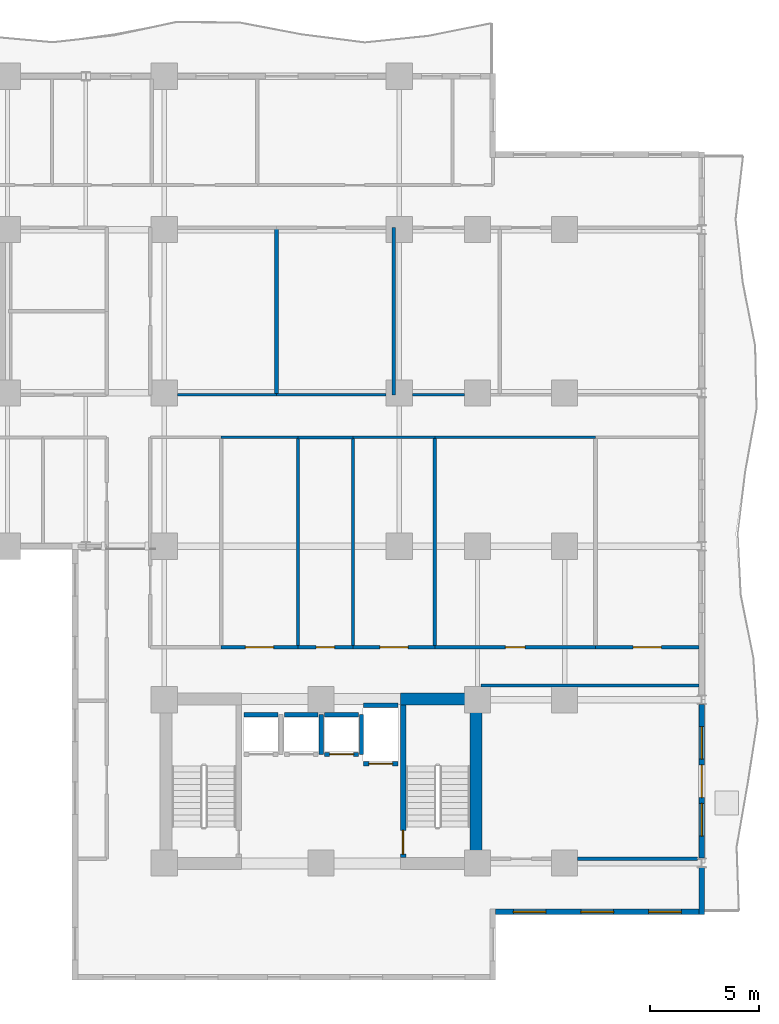
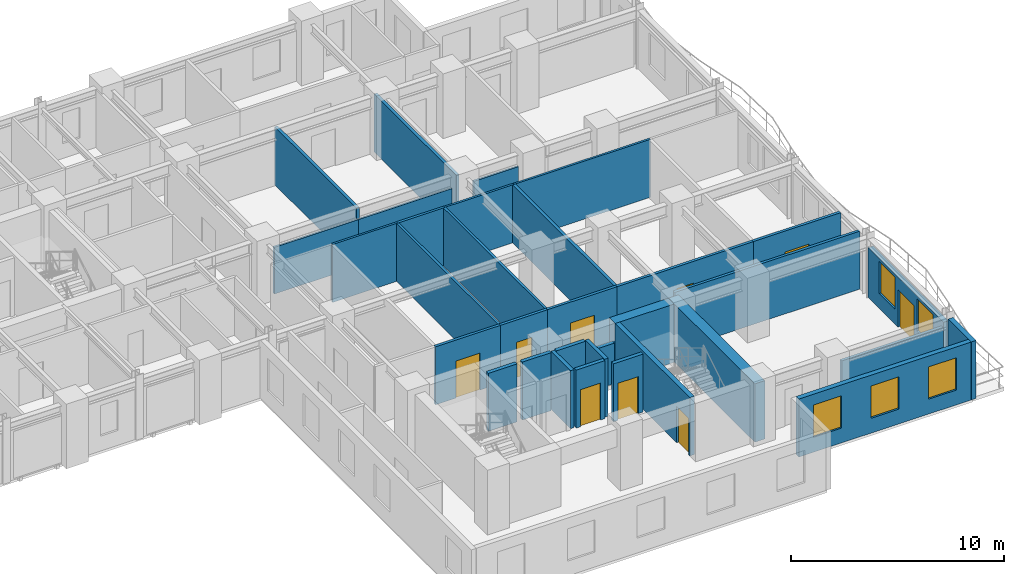
# One storey, part 5 of 11: 33 walls, 9 doors, 5 windows, 14 openings.
"""IFC4 building model written with IfcOpenShell, lengths in metres."""

from ifc_helpers import new_model, si_unit, direction, frame, frame_2d, origin, place, context, subcontext, project, spatial, rectangle, extrude, material, layer, layer_set, type_object, element, fill, save


model = new_model("IFC4")

# Units and contexts
model_context = context("Model", 3, precision=1e-05, world=origin(), true_north=direction((0.0, 1.0)))
body_context = subcontext(model_context, "Body", "Model", "MODEL_VIEW")
ifc_project = project(units=[si_unit("LENGTHUNIT", "METRE"), si_unit("AREAUNIT", "SQUARE_METRE"), si_unit("VOLUMEUNIT", "CUBIC_METRE"), si_unit("PLANEANGLEUNIT", "RADIAN"), si_unit("MASSUNIT", "GRAM", prefix="KILO")], contexts=[model_context])

# Site, building, storey
site_placement = place(None, origin())
site = spatial("IfcSite", under=ifc_project, at=site_placement, CompositionType="ELEMENT")
building_placement = place(site_placement, origin())
building = spatial("IfcBuilding", under=site, at=building_placement, Name="Kaliganga Portal Commons", CompositionType="ELEMENT")
storey_placement = place(building_placement, frame((0.0, 0.0, 126.699951171875)))
storey = spatial("IfcBuildingStorey", under=building, at=storey_placement, Name="L32", CompositionType="ELEMENT", Elevation=126.699951171875)

# Walls
ifc_material_1 = material(Name="Concrete C60/75", Category="concrete")
ifc_layer_1 = layer(ifc_material_1, 0.550048828125)
ifc_layer_set_1 = layer_set([ifc_layer_1], Name="Concrete C60/75")
wall_type_1 = type_object("IfcWallType", Name="WL-CORE-550", PredefinedType="SHEAR", material=ifc_layer_set_1)
wall_1_placement = place(storey_placement, frame((50.324951171875, 6.75, 0.0), z_axis=(0.0, 0.0, 1.0), x_axis=(0.0, 1.0, 0.0)))
element("IfcWall", 1, at=wall_1_placement, inside=storey, type_object=wall_type_1, Name="Core B East Shear Wall L32", PredefinedType="SHEAR", context=body_context, shape_type="SweptSolid", body=[
    extrude(rectangle(XDim=8.10009765625, YDim=0.550048828125, at=frame_2d((4.050048828125, 0.0))), origin(), (0.0, 0.0, 1.0), 3.340087890625),
])
wall_2_placement = place(storey_placement, frame((46.85009765625, 14.574951171875, 0.0), z_axis=(0.0, 0.0, 1.0), x_axis=(1.0, 0.0, 0.0)))
element("IfcWall", 2, at=wall_2_placement, inside=storey, type_object=wall_type_1, Name="Core B N-East Shear Wall L32", PredefinedType="SHEAR", context=body_context, shape_type="SweptSolid", body=[
    extrude(rectangle(XDim=3.199951171875, YDim=0.550048828125, at=frame_2d((1.60009765625, 0.0))), origin(), (0.0, 0.0, 1.0), 3.340087890625),
])

# Wall, openings, windows
ifc_material_2 = material(Name="Insulated Aluminium-Clad Spandrel Assembly", Category="aluminium")
ifc_layer_2 = layer(ifc_material_2, 0.260009765625)
ifc_layer_set_2 = layer_set([ifc_layer_2], Name="Insulated Aluminium-Clad Spandrel Assembly")
wall_type_2 = type_object("IfcWallType", Name="WL-EXT-SPAND-260", PredefinedType="STANDARD", material=ifc_layer_set_2)
wall_3_placement = place(storey_placement, frame((60.56494140625, 4.800048828125, 0.0), z_axis=(0.0, 0.0, 1.0), x_axis=(-1.0, 0.0, 0.0)))
wall_3 = element("IfcWall", 3, at=wall_3_placement, inside=storey, type_object=wall_type_2, Name="Exterior Envelope Wall L32 P1-E02-S1", PredefinedType="STANDARD", context=body_context, shape_type="SweptSolid", body=[
    extrude(rectangle(XDim=9.329833984375, YDim=0.260009765625, at=frame_2d((4.6650390625, 0.0))), origin(), (0.0, 0.0, 1.0), 3.320068359375),
])
opening_1_placement = place(wall_3_placement, frame((0.804931640625, 0.0, 0.85009765625)))
opening_1 = element("IfcOpeningElement", 4, at=opening_1_placement, cuts=wall_3, Name="Opening W-02", PredefinedType="OPENING", context=body_context, shape_type="SweptSolid", body=[
    extrude(rectangle(XDim=1.5, YDim=1.85009765625, at=frame_2d((0.75, 0.925048828125))), frame((0.0, 0.14013671875, 0.0), z_axis=(0.0, -1.0, 0.0), x_axis=(1.0, 0.0, 0.0)), (0.0, 0.0, 1.0), 0.280029296875),
])
opening_2_placement = place(wall_3_placement, frame((3.9150390625, 0.0, 0.85009765625)))
opening_2 = element("IfcOpeningElement", 5, at=opening_2_placement, cuts=wall_3, Name="Opening W-02", PredefinedType="OPENING", context=body_context, shape_type="SweptSolid", body=[
    extrude(rectangle(XDim=1.5, YDim=1.85009765625, at=frame_2d((0.75, 0.925048828125))), frame((0.0, 0.14013671875, 0.0), z_axis=(0.0, -1.0, 0.0), x_axis=(1.0, 0.0, 0.0)), (0.0, 0.0, 1.0), 0.280029296875),
])
opening_3_placement = place(wall_3_placement, frame((7.02490234375, 0.0, 0.85009765625)))
opening_3 = element("IfcOpeningElement", 6, at=opening_3_placement, cuts=wall_3, Name="Opening W-02", PredefinedType="OPENING", context=body_context, shape_type="SweptSolid", body=[
    extrude(rectangle(XDim=1.5, YDim=1.85009765625, at=frame_2d((0.75, 0.925048828125))), frame((0.0, 0.14013671875, 0.0), z_axis=(0.0, -1.0, 0.0), x_axis=(1.0, 0.0, 0.0)), (0.0, 0.0, 1.0), 0.280029296875),
])
ifc_material_3 = material(Name="Thermally Broken Aluminium and Low-E Double Glazing", Category="aluminium")
window_type = type_object("IfcWindowType", Name="WIN-STD-1500", PartitioningType="DOUBLE_PANEL_VERTICAL", PredefinedType="WINDOW", material=ifc_material_3)
window_1_placement = place(opening_1_placement, origin())
window_1 = element("IfcWindow", 7, at=window_1_placement, inside=storey, type_object=window_type, Name="Facade Window L32-P1E02S1-00", OverallHeight=1.85009765625, OverallWidth=1.5, PartitioningType="SINGLE_PANEL", PredefinedType="WINDOW", context=body_context, shape_type="SweptSolid", body=[
    extrude(rectangle(XDim=1.5, YDim=1.85009765625, at=frame_2d((0.75, 0.925048828125))), frame((0.0, 0.030029296875, 0.0), z_axis=(0.0, -1.0, 0.0), x_axis=(1.0, 0.0, 0.0)), (0.0, 0.0, 1.0), 0.06005859375),
])
fill(opening_1, window_1)
window_2_placement = place(opening_2_placement, origin())
window_2 = element("IfcWindow", 8, at=window_2_placement, inside=storey, type_object=window_type, Name="Facade Window L32-P1E02S1-01", OverallHeight=1.85009765625, OverallWidth=1.5, PartitioningType="SINGLE_PANEL", PredefinedType="WINDOW", context=body_context, shape_type="SweptSolid", body=[
    extrude(rectangle(XDim=1.5, YDim=1.85009765625, at=frame_2d((0.75, 0.925048828125))), frame((0.0, 0.030029296875, 0.0), z_axis=(0.0, -1.0, 0.0), x_axis=(1.0, 0.0, 0.0)), (0.0, 0.0, 1.0), 0.06005859375),
])
fill(opening_2, window_2)
window_3_placement = place(opening_3_placement, origin())
window_3 = element("IfcWindow", 9, at=window_3_placement, inside=storey, type_object=window_type, Name="Facade Window L32-P1E02S1-02", OverallHeight=1.85009765625, OverallWidth=1.5, PartitioningType="SINGLE_PANEL", PredefinedType="WINDOW", context=body_context, shape_type="SweptSolid", body=[
    extrude(rectangle(XDim=1.5, YDim=1.85009765625, at=frame_2d((0.75, 0.925048828125))), frame((0.0, 0.030029296875, 0.0), z_axis=(0.0, -1.0, 0.0), x_axis=(1.0, 0.0, 0.0)), (0.0, 0.0, 1.0), 0.06005859375),
])
fill(opening_3, window_3)

# Wall
wall_4_placement = place(storey_placement, frame((60.699951171875, 6.833984375, 0.0), z_axis=(0.0, 0.0, 1.0), x_axis=(0.0, -1.0, 0.0)))
element("IfcWall", 10, at=wall_4_placement, inside=storey, type_object=wall_type_2, Name="Exterior Envelope Wall L32 P1-E03-S1", PredefinedType="STANDARD", context=body_context, shape_type="SweptSolid", body=[
    extrude(rectangle(XDim=2.1640625, YDim=0.260009765625, at=frame_2d((1.08203125, 0.0))), origin(), (0.0, 0.0, 1.0), 3.320068359375),
])

# Wall, openings, door, windows
wall_5_placement = place(storey_placement, frame((60.699951171875, 14.333984375, 0.0), z_axis=(0.0, 0.0, 1.0), x_axis=(0.0, -1.0, 0.0)))
wall_5 = element("IfcWall", 11, at=wall_5_placement, inside=storey, type_object=wall_type_2, Name="Exterior Envelope Wall L32 P1-E03-S2", PredefinedType="STANDARD", context=body_context, shape_type="SweptSolid", body=[
    extrude(rectangle(XDim=7.06787109375, YDim=0.260009765625, at=frame_2d((3.533935546875, 0.0))), origin(), (0.0, 0.0, 1.0), 2.8701171875),
])
opening_4_placement = place(wall_5_placement, frame((2.783935546875, 0.0, 0.0)))
opening_4 = element("IfcOpeningElement", 12, at=opening_4_placement, cuts=wall_5, Name="Opening BD-01", PredefinedType="OPENING", context=body_context, shape_type="SweptSolid", body=[
    extrude(rectangle(XDim=1.5, YDim=2.14990234375, at=frame_2d((0.75, 1.074951171875))), frame((0.0, 0.14013671875, 0.0), z_axis=(0.0, -1.0, 0.0), x_axis=(1.0, 0.0, 0.0)), (0.0, 0.0, 1.0), 0.280029296875),
])
opening_5_placement = place(wall_5_placement, frame((1.01708984375, 0.0, 0.85009765625)))
opening_5 = element("IfcOpeningElement", 13, at=opening_5_placement, cuts=wall_5, Name="Opening W-02", PredefinedType="OPENING", context=body_context, shape_type="SweptSolid", body=[
    extrude(rectangle(XDim=1.5, YDim=1.85009765625, at=frame_2d((0.75, 0.925048828125))), frame((0.0, 0.14013671875, 0.0), z_axis=(0.0, -1.0, 0.0), x_axis=(1.0, 0.0, 0.0)), (0.0, 0.0, 1.0), 0.280029296875),
])
opening_6_placement = place(wall_5_placement, frame((4.551025390625, 0.0, 0.85009765625)))
opening_6 = element("IfcOpeningElement", 14, at=opening_6_placement, cuts=wall_5, Name="Opening W-02", PredefinedType="OPENING", context=body_context, shape_type="SweptSolid", body=[
    extrude(rectangle(XDim=1.5, YDim=1.85009765625, at=frame_2d((0.75, 0.925048828125))), frame((0.0, 0.14013671875, 0.0), z_axis=(0.0, -1.0, 0.0), x_axis=(1.0, 0.0, 0.0)), (0.0, 0.0, 1.0), 0.280029296875),
])
ifc_material_4 = material(Name="Anodized Aluminium and Laminated Safety Glass", Category="aluminium")
door_type_1 = type_object("IfcDoorType", Name="DR-BALC-1500", OperationType="SLIDING_TO_LEFT", PredefinedType="DOOR", material=ifc_material_4)
door_1_placement = place(opening_4_placement, origin())
door_1 = element("IfcDoor", 15, at=door_1_placement, inside=storey, type_object=door_type_1, Name="Balcony Sliding Door L32 balc_east", OperationType="SLIDING_TO_LEFT", OverallHeight=2.14990234375, OverallWidth=1.5, PredefinedType="DOOR", context=body_context, shape_type="SweptSolid", body=[
    extrude(rectangle(XDim=1.5, YDim=2.14990234375, at=frame_2d((0.75, 1.074951171875))), frame((0.0, 0.02490234375, 0.0), z_axis=(0.0, -1.0, 0.0), x_axis=(1.0, 0.0, 0.0)), (0.0, 0.0, 1.0), 0.050048828125),
])
fill(opening_4, door_1)
window_4_placement = place(opening_5_placement, origin())
window_4 = element("IfcWindow", 16, at=window_4_placement, inside=storey, type_object=window_type, Name="Facade Window L32-P1E03S2-00", OverallHeight=1.85009765625, OverallWidth=1.5, PartitioningType="SINGLE_PANEL", PredefinedType="WINDOW", context=body_context, shape_type="SweptSolid", body=[
    extrude(rectangle(XDim=1.5, YDim=1.85009765625, at=frame_2d((0.75, 0.925048828125))), frame((0.0, 0.030029296875, 0.0), z_axis=(0.0, -1.0, 0.0), x_axis=(1.0, 0.0, 0.0)), (0.0, 0.0, 1.0), 0.06005859375),
])
fill(opening_5, window_4)
window_5_placement = place(opening_6_placement, origin())
window_5 = element("IfcWindow", 17, at=window_5_placement, inside=storey, type_object=window_type, Name="Facade Window L32-P1E03S2-01", OverallHeight=1.85009765625, OverallWidth=1.5, PartitioningType="SINGLE_PANEL", PredefinedType="WINDOW", context=body_context, shape_type="SweptSolid", body=[
    extrude(rectangle(XDim=1.5, YDim=1.85009765625, at=frame_2d((0.75, 0.925048828125))), frame((0.0, 0.030029296875, 0.0), z_axis=(0.0, -1.0, 0.0), x_axis=(1.0, 0.0, 0.0)), (0.0, 0.0, 1.0), 0.06005859375),
])
fill(opening_6, window_5)

# Walls
ifc_material_5 = material(Name="Fire-Rated Gypsum Board on Steel Stud", Category="steel")
ifc_layer_3 = layer(ifc_material_5, 0.14990234375)
ifc_layer_set_3 = layer_set([ifc_layer_3], Name="Fire-Rated Gypsum Board on Steel Stud")
wall_type_3 = type_object("IfcWallType", Name="WL-PART-CORR-150", PredefinedType="PARTITIONING", material=ifc_layer_set_3)
wall_6_placement = place(storey_placement, frame((55.0, 7.239990234375, 0.0), z_axis=(0.0, 0.0, 1.0), x_axis=(1.0, 0.0, 0.0)))
element("IfcWall", 18, at=wall_6_placement, inside=storey, type_object=wall_type_3, Name="Interior Partition L32-002", PredefinedType="PARTITIONING", context=body_context, shape_type="SweptSolid", body=[
    extrude(rectangle(XDim=5.49560546875, YDim=0.14990234375, at=frame_2d((2.747802734375, 0.0))), origin(), (0.0, 0.0, 1.0), 2.670166015625),
])
wall_7_placement = place(storey_placement, frame((50.56005859375, 15.199951171875, 0.0), z_axis=(0.0, 0.0, 1.0), x_axis=(1.0, 0.0, 0.0)))
element("IfcWall", 19, at=wall_7_placement, inside=storey, type_object=wall_type_3, Name="Interior Partition L32-003", PredefinedType="PARTITIONING", context=body_context, shape_type="SweptSolid", body=[
    extrude(rectangle(XDim=10.008056640625, YDim=0.14990234375, at=frame_2d((5.00390625, 0.0))), origin(), (0.0, 0.0, 1.0), 3.320068359375),
])

# Wall, opening, door
wall_8_placement = place(storey_placement, frame((48.43994140625, 16.9599609375, 0.0), z_axis=(0.0, 0.0, 1.0), x_axis=(1.0, 0.0, 0.0)))
wall_8 = element("IfcWall", 20, at=wall_8_placement, inside=storey, type_object=wall_type_3, Name="Interior Partition L32-009", PredefinedType="PARTITIONING", context=body_context, shape_type="SweptSolid", body=[
    extrude(rectangle(XDim=7.380126953125, YDim=0.14990234375, at=frame_2d((3.68994140625, 0.0))), origin(), (0.0, 0.0, 1.0), 3.320068359375),
])
opening_7_placement = place(wall_8_placement, frame((3.239990234375, 0.0, 0.0)))
opening_7 = element("IfcOpeningElement", 21, at=opening_7_placement, cuts=wall_8, Name="Opening RD-01", PredefinedType="OPENING", context=body_context, shape_type="SweptSolid", body=[
    extrude(rectangle(XDim=0.89990234375, YDim=2.080078125, at=frame_2d((0.449951171875, 1.0400390625))), frame((0.0, 0.0849609375, 0.0), z_axis=(0.0, -1.0, 0.0), x_axis=(1.0, 0.0, 0.0)), (0.0, 0.0, 1.0), 0.169921875),
])
ifc_material_6 = material(Name="Engineered Timber Flush Door", Category="wood")
door_type_2 = type_object("IfcDoorType", Name="DR-ROOM-900", OperationType="NOTDEFINED", PredefinedType="DOOR", material=ifc_material_6)
door_2_placement = place(opening_7_placement, origin())
door_2 = element("IfcDoor", 22, at=door_2_placement, inside=storey, type_object=door_type_2, Name="Interior Door L32-BM05", OperationType="SINGLE_SWING_LEFT", OverallHeight=2.080078125, OverallWidth=0.89990234375, PredefinedType="DOOR", context=body_context, shape_type="SweptSolid", body=[
    extrude(rectangle(XDim=0.89990234375, YDim=2.080078125, at=frame_2d((0.449951171875, 1.0400390625))), frame((0.0, 0.02490234375, 0.0), z_axis=(0.0, -1.0, 0.0), x_axis=(1.0, 0.0, 0.0)), (0.0, 0.0, 1.0), 0.050048828125),
])
fill(opening_7, door_2)

wall_9_placement = place(storey_placement, frame((55.820068359375, 16.9599609375, 0.0), z_axis=(0.0, 0.0, 1.0), x_axis=(1.0, 0.0, 0.0)))
wall_9 = element("IfcWall", 23, at=wall_9_placement, inside=storey, type_object=wall_type_3, Name="Interior Partition L32-018", PredefinedType="PARTITIONING", context=body_context, shape_type="SweptSolid", body=[
    extrude(rectangle(XDim=4.748046875, YDim=0.14990234375, at=frame_2d((2.3740234375, 0.0))), origin(), (0.0, 0.0, 1.0), 3.320068359375),
])
opening_8_placement = place(wall_9_placement, frame((1.72412109375, 0.0, 0.0)))
opening_8 = element("IfcOpeningElement", 24, at=opening_8_placement, cuts=wall_9, Name="Opening RD-03", PredefinedType="OPENING", context=body_context, shape_type="SweptSolid", body=[
    extrude(rectangle(XDim=1.300048828125, YDim=2.1201171875, at=frame_2d((0.64990234375, 1.06005859375))), frame((0.0, 0.0849609375, 0.0), z_axis=(0.0, -1.0, 0.0), x_axis=(1.0, 0.0, 0.0)), (0.0, 0.0, 1.0), 0.169921875),
])
ifc_material_7 = material(Name="Glazed Timber Seminar Vision Door", Category="wood")
door_type_3 = type_object("IfcDoorType", Name="DR-STUDY-1300", OperationType="DOUBLE_DOOR_SINGLE_SWING", PredefinedType="DOOR", material=ifc_material_7)
door_3_placement = place(opening_8_placement, origin())
door_3 = element("IfcDoor", 25, at=door_3_placement, inside=storey, type_object=door_type_3, Name="Interior Door L32-BM06", OperationType="DOUBLE_DOOR_SINGLE_SWING", OverallHeight=2.1201171875, OverallWidth=1.300048828125, PredefinedType="DOOR", context=body_context, shape_type="SweptSolid", body=[
    extrude(rectangle(XDim=1.300048828125, YDim=2.1201171875, at=frame_2d((0.64990234375, 1.06005859375))), frame((0.0, 0.02490234375, 0.0), z_axis=(0.0, -1.0, 0.0), x_axis=(1.0, 0.0, 0.0)), (0.0, 0.0, 1.0), 0.050048828125),
])
fill(opening_8, door_3)

wall_10_placement = place(storey_placement, frame((44.679931640625, 16.9599609375, 0.0), z_axis=(0.0, 0.0, 1.0), x_axis=(1.0, 0.0, 0.0)))
wall_10 = element("IfcWall", 26, at=wall_10_placement, inside=storey, type_object=wall_type_3, Name="Interior Partition L32-030", PredefinedType="PARTITIONING", context=body_context, shape_type="SweptSolid", body=[
    extrude(rectangle(XDim=3.760009765625, YDim=0.14990234375, at=frame_2d((1.8798828125, 0.0))), origin(), (0.0, 0.0, 1.0), 3.320068359375),
])
opening_9_placement = place(wall_10_placement, frame((1.22998046875, 0.0, 0.0)))
opening_9 = element("IfcOpeningElement", 27, at=opening_9_placement, cuts=wall_10, Name="Opening RD-03", PredefinedType="OPENING", context=body_context, shape_type="SweptSolid", body=[
    extrude(rectangle(XDim=1.300048828125, YDim=2.1201171875, at=frame_2d((0.64990234375, 1.06005859375))), frame((0.0, 0.0849609375, 0.0), z_axis=(0.0, -1.0, 0.0), x_axis=(1.0, 0.0, 0.0)), (0.0, 0.0, 1.0), 0.169921875),
])
door_4_placement = place(opening_9_placement, origin())
door_4 = element("IfcDoor", 28, at=door_4_placement, inside=storey, type_object=door_type_3, Name="Interior Door L32-BM04", OperationType="DOUBLE_DOOR_SINGLE_SWING", OverallHeight=2.1201171875, OverallWidth=1.300048828125, PredefinedType="DOOR", context=body_context, shape_type="SweptSolid", body=[
    extrude(rectangle(XDim=1.300048828125, YDim=2.1201171875, at=frame_2d((0.64990234375, 1.06005859375))), frame((0.0, 0.02490234375, 0.0), z_axis=(0.0, -1.0, 0.0), x_axis=(1.0, 0.0, 0.0)), (0.0, 0.0, 1.0), 0.050048828125),
])
fill(opening_9, door_4)

wall_11_placement = place(storey_placement, frame((38.6201171875, 16.9599609375, 0.0), z_axis=(0.0, 0.0, 1.0), x_axis=(1.0, 0.0, 0.0)))
wall_11 = element("IfcWall", 29, at=wall_11_placement, inside=storey, type_object=wall_type_3, Name="Interior Partition L32-032", PredefinedType="PARTITIONING", context=body_context, shape_type="SweptSolid", body=[
    extrude(rectangle(XDim=3.519775390625, YDim=0.14990234375, at=frame_2d((1.759765625, 0.0))), origin(), (0.0, 0.0, 1.0), 3.320068359375),
])
opening_10_placement = place(wall_11_placement, frame((1.110107421875, 0.0, 0.0)))
opening_10 = element("IfcOpeningElement", 30, at=opening_10_placement, cuts=wall_11, Name="Opening RD-03", PredefinedType="OPENING", context=body_context, shape_type="SweptSolid", body=[
    extrude(rectangle(XDim=1.300048828125, YDim=2.1201171875, at=frame_2d((0.64990234375, 1.06005859375))), frame((0.0, 0.0849609375, 0.0), z_axis=(0.0, -1.0, 0.0), x_axis=(1.0, 0.0, 0.0)), (0.0, 0.0, 1.0), 0.169921875),
])
door_5_placement = place(opening_10_placement, origin())
door_5 = element("IfcDoor", 31, at=door_5_placement, inside=storey, type_object=door_type_3, Name="Interior Door L32-BM02", OperationType="DOUBLE_DOOR_SINGLE_SWING", OverallHeight=2.1201171875, OverallWidth=1.300048828125, PredefinedType="DOOR", context=body_context, shape_type="SweptSolid", body=[
    extrude(rectangle(XDim=1.300048828125, YDim=2.1201171875, at=frame_2d((0.64990234375, 1.06005859375))), frame((0.0, 0.02490234375, 0.0), z_axis=(0.0, -1.0, 0.0), x_axis=(1.0, 0.0, 0.0)), (0.0, 0.0, 1.0), 0.050048828125),
])
fill(opening_10, door_5)

wall_12_placement = place(storey_placement, frame((42.139892578125, 16.9599609375, 0.0), z_axis=(0.0, 0.0, 1.0), x_axis=(1.0, 0.0, 0.0)))
wall_12 = element("IfcWall", 32, at=wall_12_placement, inside=storey, type_object=wall_type_3, Name="Interior Partition L32-037", PredefinedType="PARTITIONING", context=body_context, shape_type="SweptSolid", body=[
    extrude(rectangle(XDim=2.5400390625, YDim=0.14990234375, at=frame_2d((1.27001953125, 0.0))), origin(), (0.0, 0.0, 1.0), 3.320068359375),
])
opening_11_placement = place(wall_12_placement, frame((0.844970703125, 0.0, 0.0)))
opening_11 = element("IfcOpeningElement", 33, at=opening_11_placement, cuts=wall_12, Name="Opening WD-01", PredefinedType="OPENING", context=body_context, shape_type="SweptSolid", body=[
    extrude(rectangle(XDim=0.85009765625, YDim=2.0400390625, at=frame_2d((0.425048828125, 1.02001953125))), frame((0.0, 0.0849609375, 0.0), z_axis=(0.0, -1.0, 0.0), x_axis=(1.0, 0.0, 0.0)), (0.0, 0.0, 1.0), 0.169921875),
])
ifc_material_8 = material(Name="Moisture-Resistant Laminate Timber Door", Category="wood")
door_type_4 = type_object("IfcDoorType", Name="DR-WET-850", OperationType="NOTDEFINED", PredefinedType="DOOR", material=ifc_material_8)
door_6_placement = place(opening_11_placement, origin())
door_6 = element("IfcDoor", 34, at=door_6_placement, inside=storey, type_object=door_type_4, Name="Interior Door L32-BM03", OperationType="SINGLE_SWING_LEFT", OverallHeight=2.0400390625, OverallWidth=0.85009765625, PredefinedType="DOOR", context=body_context, shape_type="SweptSolid", body=[
    extrude(rectangle(XDim=0.85009765625, YDim=2.0400390625, at=frame_2d((0.425048828125, 1.02001953125))), frame((0.0, 0.02490234375, 0.0), z_axis=(0.0, -1.0, 0.0), x_axis=(1.0, 0.0, 0.0)), (0.0, 0.0, 1.0), 0.050048828125),
])
fill(opening_11, door_6)

# Walls
ifc_material_9 = material(Name="Moisture-Resistant Gypsum Partition", Category="gypsum")
ifc_layer_4 = layer(ifc_material_9, 0.114990234375)
ifc_layer_set_4 = layer_set([ifc_layer_4], Name="Moisture-Resistant Gypsum Partition")
wall_type_4 = type_object("IfcWallType", Name="WL-PART-ROOM-115", PredefinedType="PARTITIONING", material=ifc_layer_set_4)
wall_13_placement = place(storey_placement, frame((48.43994140625, 26.60009765625, 0.0), z_axis=(0.0, 0.0, 1.0), x_axis=(1.0, 0.0, 0.0)))
element("IfcWall", 35, at=wall_13_placement, inside=storey, type_object=wall_type_4, Name="Interior Partition L32-053", PredefinedType="PARTITIONING", context=body_context, shape_type="SweptSolid", body=[
    extrude(rectangle(XDim=7.380126953125, YDim=0.114990234375, at=frame_2d((3.68994140625, 0.0))), origin(), (0.0, 0.0, 1.0), 3.320068359375),
])
wall_14_placement = place(storey_placement, frame((36.60009765625, 28.56005859375, 0.0), z_axis=(0.0, 0.0, 1.0), x_axis=(1.0, 0.0, 0.0)))
element("IfcWall", 36, at=wall_14_placement, inside=storey, type_object=wall_type_4, Name="Interior Partition L32-054", PredefinedType="PARTITIONING", context=body_context, shape_type="SweptSolid", body=[
    extrude(rectangle(XDim=4.559814453125, YDim=0.114990234375, at=frame_2d((2.27978515625, 0.0))), origin(), (0.0, 0.0, 1.0), 2.670166015625),
])
wall_15_placement = place(storey_placement, frame((41.159912109375, 28.56005859375, 0.0), z_axis=(0.0, 0.0, 1.0), x_axis=(1.0, 0.0, 0.0)))
element("IfcWall", 37, at=wall_15_placement, inside=storey, type_object=wall_type_4, Name="Interior Partition L32-055", PredefinedType="PARTITIONING", context=body_context, shape_type="SweptSolid", body=[
    extrude(rectangle(XDim=5.0400390625, YDim=0.114990234375, at=frame_2d((2.52001953125, 0.0))), origin(), (0.0, 0.0, 1.0), 2.670166015625),
])
wall_16_placement = place(storey_placement, frame((47.39990234375, 28.56005859375, 0.0), z_axis=(0.0, 0.0, 1.0), x_axis=(1.0, 0.0, 0.0)))
element("IfcWall", 38, at=wall_16_placement, inside=storey, type_object=wall_type_4, Name="Interior Partition L32-071", PredefinedType="PARTITIONING", context=body_context, shape_type="SweptSolid", body=[
    extrude(rectangle(XDim=2.400146484375, YDim=0.114990234375, at=frame_2d((1.2001953125, 0.0))), origin(), (0.0, 0.0, 1.0), 2.670166015625),
])
wall_17_placement = place(storey_placement, frame((44.679931640625, 26.60009765625, 0.0), z_axis=(0.0, 0.0, 1.0), x_axis=(1.0, 0.0, 0.0)))
element("IfcWall", 39, at=wall_17_placement, inside=storey, type_object=wall_type_4, Name="Interior Partition L32-075", PredefinedType="PARTITIONING", context=body_context, shape_type="SweptSolid", body=[
    extrude(rectangle(XDim=3.760009765625, YDim=0.114990234375, at=frame_2d((1.8798828125, 0.0))), origin(), (0.0, 0.0, 1.0), 3.320068359375),
])
wall_18_placement = place(storey_placement, frame((38.6201171875, 26.60009765625, 0.0), z_axis=(0.0, 0.0, 1.0), x_axis=(1.0, 0.0, 0.0)))
element("IfcWall", 40, at=wall_18_placement, inside=storey, type_object=wall_type_4, Name="Interior Partition L32-076", PredefinedType="PARTITIONING", context=body_context, shape_type="SweptSolid", body=[
    extrude(rectangle(XDim=3.519775390625, YDim=0.114990234375, at=frame_2d((1.759765625, 0.0))), origin(), (0.0, 0.0, 1.0), 3.320068359375),
])
ifc_material_10 = material(Name="Twin-Stud Acoustic Gypsum Partition", Category="gypsum")
ifc_layer_5 = layer(ifc_material_10, 0.1650390625)
ifc_layer_set_5 = layer_set([ifc_layer_5], Name="Twin-Stud Acoustic Gypsum Partition")
wall_type_5 = type_object("IfcWallType", Name="WL-PART-UNIT-165", PredefinedType="PARTITIONING", material=ifc_layer_set_5)
wall_19_placement = place(storey_placement, frame((48.43994140625, 16.9599609375, 0.0), z_axis=(0.0, 0.0, 1.0), x_axis=(0.0, 1.0, 0.0)))
element("IfcWall", 41, at=wall_19_placement, inside=storey, type_object=wall_type_5, Name="Interior Partition L32-046", PredefinedType="PARTITIONING", context=body_context, shape_type="SweptSolid", body=[
    extrude(rectangle(XDim=9.64013671875, YDim=0.1650390625, at=frame_2d((4.820068359375, 0.0))), origin(), (0.0, 0.0, 1.0), 3.320068359375),
])
for number, where, z_axis, x_axis, name in (
    (42, (41.159912109375, 28.56005859375, 0.0), (0.0, 0.0, 1.0), (0.0, 1.0, 0.0), "Interior Partition L32-050"),
    (43, (46.5400390625, 28.56005859375, 0.0), (0.0, 0.0, 1.0), (0.0, 1.0, 0.0), "Interior Partition L32-051"),
):
    element("IfcWall", number, at=place(storey_placement, frame(where, z_axis=z_axis, x_axis=x_axis)), inside=storey, type_object=wall_type_5, Name=name, PredefinedType="PARTITIONING", context=body_context, shape_type="SweptSolid", body=[
        extrude(rectangle(XDim=7.679931640625, YDim=0.1650390625, at=frame_2d((3.83984375, 0.0))), origin(), (0.0, 0.0, 1.0), 3.320068359375),
    ])
ifc_material_11 = material(Name="Cement-Board Wet-Room Partition", Category="gypsum")
ifc_layer_6 = layer(ifc_material_11, 0.135009765625)
ifc_layer_set_6 = layer_set([ifc_layer_6], Name="Cement-Board Wet-Room Partition")
wall_type_6 = type_object("IfcWallType", Name="WL-PART-WET-135", PredefinedType="PARTITIONING", material=ifc_layer_set_6)
for number, where, z_axis, x_axis, name in (
    (44, (42.139892578125, 16.9599609375, 0.0), (0.0, 0.0, 1.0), (0.0, 1.0, 0.0), "Interior Partition L32-044"),
    (45, (44.679931640625, 16.9599609375, 0.0), (0.0, 0.0, 1.0), (0.0, 1.0, 0.0), "Interior Partition L32-045"),
):
    element("IfcWall", number, at=place(storey_placement, frame(where, z_axis=z_axis, x_axis=x_axis)), inside=storey, type_object=wall_type_6, Name=name, PredefinedType="PARTITIONING", context=body_context, shape_type="SweptSolid", body=[
        extrude(rectangle(XDim=9.64013671875, YDim=0.135009765625, at=frame_2d((4.820068359375, 0.0))), origin(), (0.0, 0.0, 1.0), 3.320068359375),
    ])
wall_20_placement = place(storey_placement, frame((42.139892578125, 26.60009765625, 0.0), z_axis=(0.0, 0.0, 1.0), x_axis=(1.0, 0.0, 0.0)))
element("IfcWall", 46, at=wall_20_placement, inside=storey, type_object=wall_type_6, Name="Interior Partition L32-079", PredefinedType="PARTITIONING", context=body_context, shape_type="SweptSolid", body=[
    extrude(rectangle(XDim=2.5400390625, YDim=0.135009765625, at=frame_2d((1.27001953125, 0.0))), origin(), (0.0, 0.0, 1.0), 3.320068359375),
])
ifc_material_12 = material(Name="Fire-Rated Shaftwall Masonry Assembly", Category="masonry")
ifc_layer_7 = layer(ifc_material_12, 0.199951171875)
ifc_layer_set_7 = layer_set([ifc_layer_7], Name="Fire-Rated Shaftwall Masonry Assembly")
wall_type_7 = type_object("IfcWallType", Name="WL-SHAFT-200", PredefinedType="PARTITIONING", material=ifc_layer_set_7)
for number, where, z_axis, x_axis, name in (
    (47, (39.675048828125, 13.864990234375, 0.0), (0.0, 0.0, 1.0), (1.0, 0.0, 0.0), "Lift PL-B1 Hoistway Shaft Wall L32-N"),
    (48, (41.52490234375, 13.864990234375, 0.0), (0.0, 0.0, 1.0), (1.0, 0.0, 0.0), "Lift PL-B2 Hoistway Shaft Wall L32-N"),
):
    element("IfcWall", number, at=place(storey_placement, frame(where, z_axis=z_axis, x_axis=x_axis)), inside=storey, type_object=wall_type_7, Name=name, PredefinedType="PARTITIONING", context=body_context, shape_type="SweptSolid", body=[
        extrude(rectangle(XDim=1.550048828125, YDim=0.199951171875, at=frame_2d((0.77490234375, 0.0))), origin(), (0.0, 0.0, 1.0), 3.320068359375),
    ])
wall_21_placement = place(storey_placement, frame((43.215087890625, 12.034912109375, 0.0), z_axis=(0.0, 0.0, 1.0), x_axis=(0.0, 1.0, 0.0)))
element("IfcWall", 49, at=wall_21_placement, inside=storey, type_object=wall_type_7, Name="Lift PL-B2 Hoistway Shaft Wall L32-E", PredefinedType="PARTITIONING", context=body_context, shape_type="SweptSolid", body=[
    extrude(rectangle(XDim=1.830078125, YDim=0.199951171875, at=frame_2d((0.9150390625, 0.0))), origin(), (0.0, 0.0, 1.0), 3.320068359375),
])

# Wall, opening, door
wall_22_placement = place(storey_placement, frame((43.375, 12.034912109375, 0.0), z_axis=(0.0, 0.0, 1.0), x_axis=(1.0, 0.0, 0.0)))
wall_22 = element("IfcWall", 50, at=wall_22_placement, inside=storey, type_object=wall_type_7, Name="Lift SH-2 Hoistway Shaft Wall L32-S", PredefinedType="PARTITIONING", context=body_context, shape_type="SweptSolid", body=[
    extrude(rectangle(XDim=1.550048828125, YDim=0.199951171875, at=frame_2d((0.77490234375, 0.0))), origin(), (0.0, 0.0, 1.0), 3.320068359375),
])
opening_12_placement = place(wall_22_placement, frame((0.22509765625, 0.0, 0.0)))
opening_12 = element("IfcOpeningElement", 51, at=opening_12_placement, cuts=wall_22, Name="Opening LD-01", PredefinedType="OPENING", context=body_context, shape_type="SweptSolid", body=[
    extrude(rectangle(XDim=1.10009765625, YDim=2.1201171875, at=frame_2d((0.550048828125, 1.06005859375))), frame((0.0, 0.10986328125, 0.0), z_axis=(0.0, -1.0, 0.0), x_axis=(1.0, 0.0, 0.0)), (0.0, 0.0, 1.0), 0.219970703125),
])
ifc_material_13 = material(Name="Brushed Stainless Steel 316 Lift Landing Door", Category="steel")
door_type_5 = type_object("IfcDoorType", Name="DR-LIFT-1100", OperationType="SLIDING_TO_LEFT", PredefinedType="DOOR", material=ifc_material_13)
door_7_placement = place(opening_12_placement, origin())
door_7 = element("IfcDoor", 52, at=door_7_placement, inside=storey, type_object=door_type_5, Name="Lift SH-2 Sliding Landing Door L32", OperationType="SLIDING_TO_LEFT", OverallHeight=2.1201171875, OverallWidth=1.10009765625, PredefinedType="DOOR", context=body_context, shape_type="SweptSolid", body=[
    extrude(rectangle(XDim=1.10009765625, YDim=2.1201171875, at=frame_2d((0.550048828125, 1.06005859375))), frame((0.0, 0.02490234375, 0.0), z_axis=(0.0, -1.0, 0.0), x_axis=(1.0, 0.0, 0.0)), (0.0, 0.0, 1.0), 0.050048828125),
])
fill(opening_12, door_7)

# Walls
wall_23_placement = place(storey_placement, frame((43.375, 13.864990234375, 0.0), z_axis=(0.0, 0.0, 1.0), x_axis=(1.0, 0.0, 0.0)))
element("IfcWall", 53, at=wall_23_placement, inside=storey, type_object=wall_type_7, Name="Lift SH-2 Hoistway Shaft Wall L32-N", PredefinedType="PARTITIONING", context=body_context, shape_type="SweptSolid", body=[
    extrude(rectangle(XDim=1.550048828125, YDim=0.199951171875, at=frame_2d((0.77490234375, 0.0))), origin(), (0.0, 0.0, 1.0), 3.320068359375),
])
wall_24_placement = place(storey_placement, frame((45.06494140625, 12.034912109375, 0.0), z_axis=(0.0, 0.0, 1.0), x_axis=(0.0, 1.0, 0.0)))
element("IfcWall", 54, at=wall_24_placement, inside=storey, type_object=wall_type_7, Name="Lift SH-2 Hoistway Shaft Wall L32-E", PredefinedType="PARTITIONING", context=body_context, shape_type="SweptSolid", body=[
    extrude(rectangle(XDim=1.830078125, YDim=0.199951171875, at=frame_2d((0.9150390625, 0.0))), origin(), (0.0, 0.0, 1.0), 3.320068359375),
])

# Wall, opening, door
wall_25_placement = place(storey_placement, frame((45.14990234375, 11.610107421875, 0.0), z_axis=(0.0, 0.0, 1.0), x_axis=(1.0, 0.0, 0.0)))
wall_25 = element("IfcWall", 55, at=wall_25_placement, inside=storey, type_object=wall_type_7, Name="Lift SL-B1 Hoistway Shaft Wall L32-S", PredefinedType="PARTITIONING", context=body_context, shape_type="SweptSolid", body=[
    extrude(rectangle(XDim=1.60009765625, YDim=0.199951171875, at=frame_2d((0.800048828125, 0.0))), origin(), (0.0, 0.0, 1.0), 3.320068359375),
])
opening_13_placement = place(wall_25_placement, frame((0.25, 0.0, 0.0)))
opening_13 = element("IfcOpeningElement", 56, at=opening_13_placement, cuts=wall_25, Name="Opening LD-01", PredefinedType="OPENING", context=body_context, shape_type="SweptSolid", body=[
    extrude(rectangle(XDim=1.10009765625, YDim=2.1201171875, at=frame_2d((0.550048828125, 1.06005859375))), frame((0.0, 0.10986328125, 0.0), z_axis=(0.0, -1.0, 0.0), x_axis=(1.0, 0.0, 0.0)), (0.0, 0.0, 1.0), 0.219970703125),
])
door_8_placement = place(opening_13_placement, origin())
door_8 = element("IfcDoor", 57, at=door_8_placement, inside=storey, type_object=door_type_5, Name="Lift SL-B1 Sliding Landing Door L32", OperationType="SLIDING_TO_LEFT", OverallHeight=2.1201171875, OverallWidth=1.10009765625, PredefinedType="DOOR", context=body_context, shape_type="SweptSolid", body=[
    extrude(rectangle(XDim=1.10009765625, YDim=2.1201171875, at=frame_2d((0.550048828125, 1.06005859375))), frame((0.0, 0.02490234375, 0.0), z_axis=(0.0, -1.0, 0.0), x_axis=(1.0, 0.0, 0.0)), (0.0, 0.0, 1.0), 0.050048828125),
])
fill(opening_13, door_8)

# Wall
wall_26_placement = place(storey_placement, frame((45.14990234375, 14.2900390625, 0.0), z_axis=(0.0, 0.0, 1.0), x_axis=(1.0, 0.0, 0.0)))
element("IfcWall", 58, at=wall_26_placement, inside=storey, type_object=wall_type_7, Name="Lift SL-B1 Hoistway Shaft Wall L32-N", PredefinedType="PARTITIONING", context=body_context, shape_type="SweptSolid", body=[
    extrude(rectangle(XDim=1.60009765625, YDim=0.199951171875, at=frame_2d((0.800048828125, 0.0))), origin(), (0.0, 0.0, 1.0), 2.320068359375),
])

# Wall, opening, door
ifc_material_14 = material(Name="Concrete C50/60", Category="concrete")
ifc_layer_8 = layer(ifc_material_14, 0.25)
ifc_layer_set_8 = layer_set([ifc_layer_8], Name="Concrete C50/60")
wall_type_8 = type_object("IfcWallType", Name="WL-STAIR-250", PredefinedType="SHEAR", material=ifc_layer_set_8)
wall_27_placement = place(storey_placement, frame((46.97509765625, 7.300048828125, 0.0), z_axis=(0.0, 0.0, 1.0), x_axis=(0.0, 1.0, 0.0)))
wall_27 = element("IfcWall", 59, at=wall_27_placement, inside=storey, type_object=wall_type_8, Name="Stair B2 Enclosure Shear Wall L32", PredefinedType="SHEAR", context=body_context, shape_type="SweptSolid", body=[
    extrude(rectangle(XDim=7.0, YDim=0.25, at=frame_2d((3.5, 0.0))), origin(), (0.0, 0.0, 1.0), 3.340087890625),
])
opening_14_placement = place(wall_27_placement, frame((0.14990234375, 0.0, 0.0)))
opening_14 = element("IfcOpeningElement", 60, at=opening_14_placement, cuts=wall_27, Name="Opening SD-01", PredefinedType="OPENING", context=body_context, shape_type="SweptSolid", body=[
    extrude(rectangle(XDim=1.10009765625, YDim=2.080078125, at=frame_2d((0.550048828125, 1.0400390625))), frame((0.0, 0.135009765625, 0.0), z_axis=(0.0, -1.0, 0.0), x_axis=(1.0, 0.0, 0.0)), (0.0, 0.0, 1.0), 0.27001953125),
])
ifc_material_15 = material(Name="Galvanized Steel Fire Door Leaf and Frame", Category="steel")
door_type_6 = type_object("IfcDoorType", Name="DR-STAIR-1100", OperationType="NOTDEFINED", PredefinedType="DOOR", material=ifc_material_15)
door_9_placement = place(opening_14_placement, origin())
door_9 = element("IfcDoor", 61, at=door_9_placement, inside=storey, type_object=door_type_6, Name="Protected Stair ST-B2 Fire Door L32", OperationType="SINGLE_SWING_LEFT", OverallHeight=2.080078125, OverallWidth=1.10009765625, PredefinedType="DOOR", context=body_context, shape_type="SweptSolid", body=[
    extrude(rectangle(XDim=1.10009765625, YDim=2.080078125, at=frame_2d((0.550048828125, 1.0400390625))), frame((0.0, 0.02490234375, 0.0), z_axis=(0.0, -1.0, 0.0), x_axis=(1.0, 0.0, 0.0)), (0.0, 0.0, 1.0), 0.050048828125),
])
fill(opening_14, door_9)

save(model, "model.ifc")
